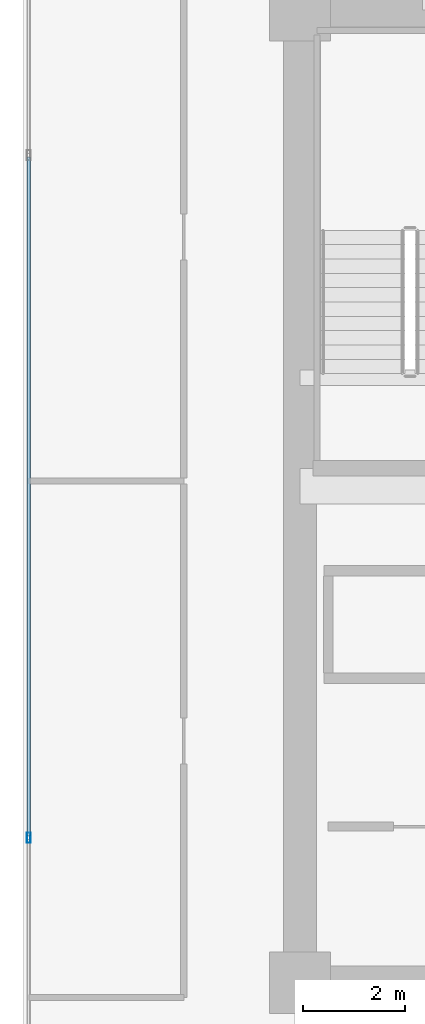
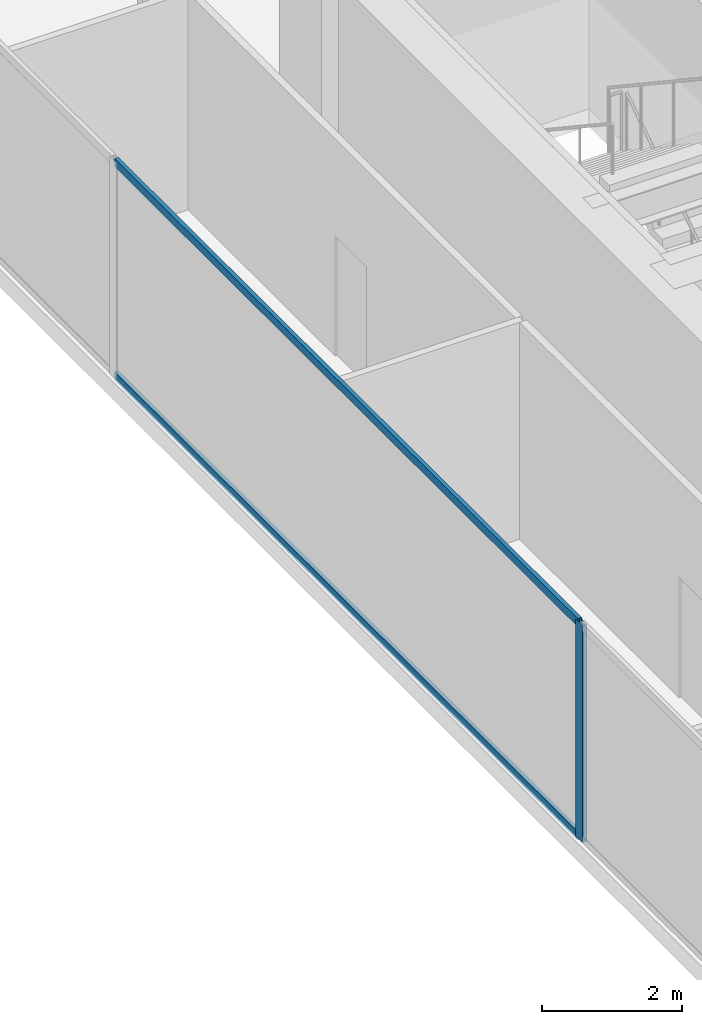
# One storey, part 6 of 30: 3 members, 1 element without a shape of its own.
"""IFC4 building model written with IfcOpenShell, lengths in metres."""

from ifc_helpers import new_model, si_unit, direction, frame, origin, origin_2d, place, context, subcontext, project, spatial, hollow_rectangle, extrude, source, transform, mapped, material, layer, layer_set, material_profile, profile_set, type_object, type_shapes, element, aggregate, save


model = new_model("IFC4")

# Units and contexts
model_context = context("Model", 3, precision=1e-05, world=origin(), true_north=direction((0.0, 1.0)))
body_context = subcontext(model_context, "Body", "Model", "MODEL_VIEW")
ifc_project = project(units=[si_unit("LENGTHUNIT", "METRE"), si_unit("AREAUNIT", "SQUARE_METRE"), si_unit("VOLUMEUNIT", "CUBIC_METRE"), si_unit("PLANEANGLEUNIT", "RADIAN"), si_unit("MASSUNIT", "GRAM", prefix="KILO")], contexts=[model_context])

# Site, building, storey
site_placement = place(None, origin())
site = spatial("IfcSite", under=ifc_project, at=site_placement, CompositionType="ELEMENT")
building_placement = place(site_placement, origin())
building = spatial("IfcBuilding", under=site, at=building_placement, Name="Haelvirn Gate Laboratories", CompositionType="ELEMENT")
storey_placement = place(building_placement, frame((0.0, 0.0, 142.0)))
storey = spatial("IfcBuildingStorey", under=building, at=storey_placement, Name="L34", CompositionType="ELEMENT", Elevation=142.0)

# Curtain wall, members
ifc_material_1 = material(Name="Anodised bronze unitised aluminium & triple low-E glass", Category="aluminium")
ifc_layer = layer(ifc_material_1, 0.179931640625, Name="CW-SYS-3")
ifc_layer_set = layer_set([ifc_layer], Name="Anodised bronze unitised aluminium & triple low-E glass")
curtain_wall_type = type_object("IfcCurtainWallType", Name="CW-SYS-3", PredefinedType="NOTDEFINED", material=ifc_layer_set)
curtain_wall_placement = place(storey_placement, origin())
curtain_wall = element("IfcCurtainWall", 1, at=curtain_wall_placement, inside=storey, type_object=curtain_wall_type, Name="L34 Unitised Curtain Wall CW-L34-P0-E17", PredefinedType="NOTDEFINED")
ifc_material_2 = material(Name="Extruded aluminium 6063-T6 (anodised bronze)", Category="aluminium")
ifc_material_profile_1 = material_profile(ifc_material_2, hollow_rectangle(XDim=0.06494140625, YDim=0.139892578125, WallThickness=0.00390625, at=origin_2d()), Name="CWT-140x65x4")
ifc_profile_set_1 = profile_set([ifc_material_profile_1], Name="Extruded aluminium 6063-T6 (anodised bronze)")
member_type_1 = type_object("IfcMemberType", Name="CWT-T140", PredefinedType="USERDEFINED", material=ifc_profile_set_1)
shared_shape_1 = source(origin(), body_context, "Body", "SweptSolid", [
    extrude(hollow_rectangle(XDim=0.06494140625, YDim=0.139892578125, WallThickness=0.00390625, at=origin_2d()), origin(), (0.0, 0.0, 1.0), 13.25830078125),
])
type_shapes(member_type_1, [shared_shape_1])
member_1_placement = place(storey_placement, frame((2.10009765625, 30.92919921875, 0.032470703125), z_axis=(0.0, -1.0, 0.0), x_axis=(1.0, 0.0, 0.0)))
member_1 = element("IfcMember", 2, at=member_1_placement, type_object=member_type_1, Name="CW3 transom 2.1", ObjectType="TRANSOM", PredefinedType="USERDEFINED", context=body_context, shape_type="MappedRepresentation", body=[
    mapped(shared_shape_1, transform((0.0, 0.0, 0.0), scale=1.0)),
])
member_2_placement = place(storey_placement, frame((2.10009765625, 30.92919921875, 3.757568359375), z_axis=(0.0, -1.0, 0.0), x_axis=(1.0, 0.0, 0.0)))
member_2 = element("IfcMember", 3, at=member_2_placement, type_object=member_type_1, Name="CW3 transom 2.2", ObjectType="TRANSOM", PredefinedType="USERDEFINED", context=body_context, shape_type="MappedRepresentation", body=[
    mapped(shared_shape_1, transform((0.0, 0.0, 0.0), scale=1.0)),
])
ifc_material_profile_2 = material_profile(ifc_material_2, hollow_rectangle(XDim=0.074951171875, YDim=0.199951171875, WallThickness=0.0048828125, at=origin_2d()), Name="CWM-200x75x5")
ifc_profile_set_2 = profile_set([ifc_material_profile_2], Name="Extruded aluminium 6063-T6 (anodised bronze)")
member_type_2 = type_object("IfcMemberType", Name="CWM-T200", PredefinedType="MULLION", material=ifc_profile_set_2)
shared_shape_2 = source(origin(), body_context, "Body", "SweptSolid", [
    extrude(hollow_rectangle(XDim=0.074951171875, YDim=0.199951171875, WallThickness=0.0048828125, at=origin_2d()), origin(), (0.0, 0.0, 1.0), 3.7900390625),
])
type_shapes(member_type_2, [shared_shape_2])
member_3_placement = place(storey_placement, frame((2.10009765625, 17.63330078125, 0.0), z_axis=(0.0, 0.0, 1.0), x_axis=(1.0, 0.0, 0.0)))
member_3 = element("IfcMember", 4, at=member_3_placement, type_object=member_type_2, Name="CW3 mullion 3", PredefinedType="MULLION", context=body_context, shape_type="MappedRepresentation", body=[
    mapped(shared_shape_2, transform((0.0, 0.0, 0.0), scale=1.0)),
])
aggregate(curtain_wall, [member_3, member_1, member_2])

save(model, "model.ifc")
